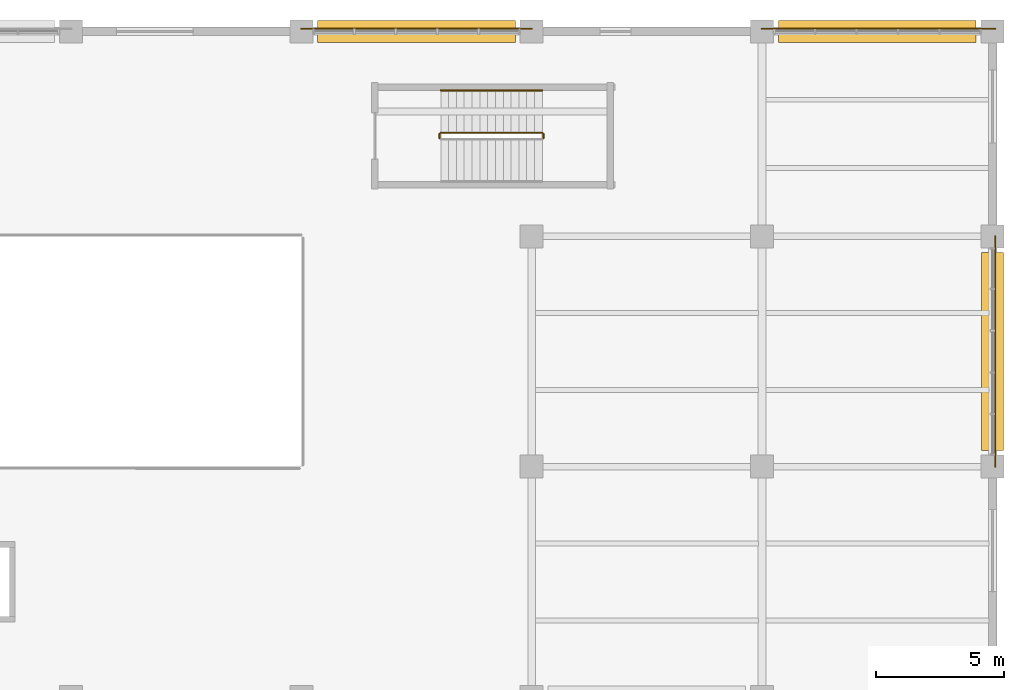
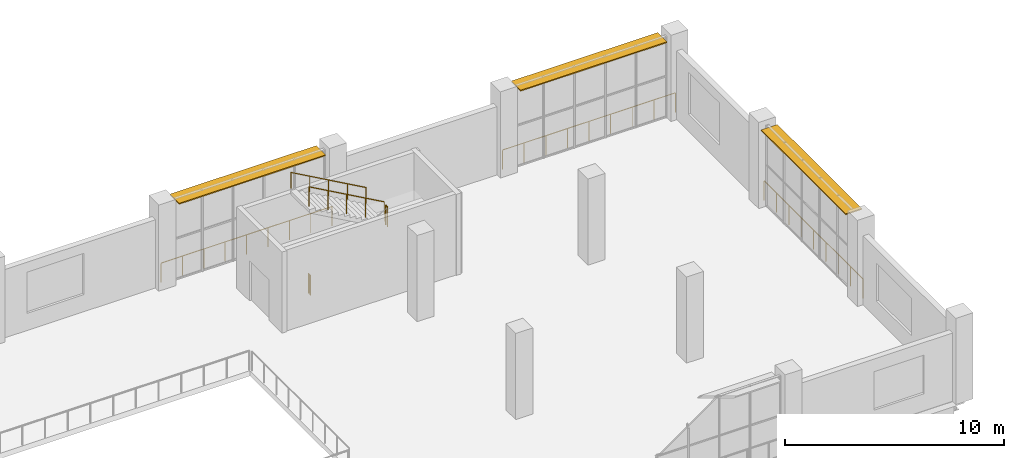
# One storey, part 182 of 183: 7 railings, 3 shading devices.
"""IFC4 building model written with IfcOpenShell, lengths in metres."""

from ifc_helpers import new_model, si_unit, direction, frame, origin, origin_2d, place, context, subcontext, project, spatial, rectangle, circle, extrude, material, layer, layer_set, type_object, element, save


model = new_model("IFC4")

# Units and contexts
model_context = context("Model", 3, precision=1e-05, world=origin(), true_north=direction((0.0, 1.0)))
body_context = subcontext(model_context, "Body", "Model", "MODEL_VIEW")
ifc_project = project(units=[si_unit("LENGTHUNIT", "METRE"), si_unit("AREAUNIT", "SQUARE_METRE"), si_unit("VOLUMEUNIT", "CUBIC_METRE"), si_unit("PLANEANGLEUNIT", "RADIAN"), si_unit("MASSUNIT", "GRAM", prefix="KILO")], contexts=[model_context])

# Site, building, storey
site_placement = place(None, origin())
site = spatial("IfcSite", under=ifc_project, at=site_placement, CompositionType="ELEMENT")
building_placement = place(site_placement, origin())
building = spatial("IfcBuilding", under=site, at=building_placement, Name="Zevraka Park Crest Stadium", CompositionType="ELEMENT")
storey_placement = place(building_placement, frame((0.0, 0.0, 5.39990234375)))
storey = spatial("IfcBuildingStorey", under=building, at=storey_placement, Name="L01", CompositionType="ELEMENT", Elevation=5.39990234375)

# Railings
ifc_material_1 = material(Name="Galvanised and bronze-finished steel balustrade", Category="steel")
railing_type_1 = type_object("IfcRailingType", Name="GR01", PredefinedType="GUARDRAIL", material=ifc_material_1)
railing_1_placement = place(storey_placement, frame((196.990966796875, 184.10498046875, 0.0)))
element("IfcRailing", 1, at=railing_1_placement, inside=storey, type_object=railing_type_1, Name="Deck Edge Protection Guardrail GR01 L01-13", PredefinedType="GUARDRAIL", context=body_context, shape_type="SweptSolid", body=[
    extrude(circle(Radius=0.02392578125, at=origin_2d()), frame((0.0, 0.0, 1.076171875), z_axis=(1.0, 0.0, 0.0), x_axis=(0.0, 1.0, 0.0)), (0.0, 0.0, 1.0), 9.01806640625),
    extrude(circle(Radius=0.02099609375, at=origin_2d()), origin(), (0.0, 0.0, 1.0), 1.052001953125),
    extrude(circle(Radius=0.02099609375, at=origin_2d()), frame((1.127197265625, 0.0, 0.0)), (0.0, 0.0, 1.0), 1.052001953125),
    extrude(circle(Radius=0.02099609375, at=origin_2d()), frame((2.25439453125, 0.0, 0.0)), (0.0, 0.0, 1.0), 1.052001953125),
    extrude(circle(Radius=0.02099609375, at=origin_2d()), frame((3.3818359375, 0.0, 0.0)), (0.0, 0.0, 1.0), 1.052001953125),
    extrude(circle(Radius=0.02099609375, at=origin_2d()), frame((4.509033203125, 0.0, 0.0)), (0.0, 0.0, 1.0), 1.052001953125),
    extrude(circle(Radius=0.02099609375, at=origin_2d()), frame((5.63623046875, 0.0, 0.0)), (0.0, 0.0, 1.0), 1.052001953125),
    extrude(circle(Radius=0.02099609375, at=origin_2d()), frame((6.763671875, 0.0, 0.0)), (0.0, 0.0, 1.0), 1.052001953125),
    extrude(circle(Radius=0.02099609375, at=origin_2d()), frame((7.890869140625, 0.0, 0.0)), (0.0, 0.0, 1.0), 1.052001953125),
    extrude(circle(Radius=0.02099609375, at=origin_2d()), frame((9.01806640625, 0.0, 0.0)), (0.0, 0.0, 1.0), 1.052001953125),
])
railing_2_placement = place(storey_placement, frame((214.990966796875, 184.10498046875, 0.0)))
element("IfcRailing", 2, at=railing_2_placement, inside=storey, type_object=railing_type_1, Name="Deck Edge Protection Guardrail GR01 L01-14", PredefinedType="GUARDRAIL", context=body_context, shape_type="SweptSolid", body=[
    extrude(circle(Radius=0.02392578125, at=origin_2d()), frame((0.0, 0.0, 1.076171875), z_axis=(1.0, 0.0, 0.0), x_axis=(0.0, 1.0, 0.0)), (0.0, 0.0, 1.0), 9.114013671875),
    extrude(circle(Radius=0.02099609375, at=origin_2d()), origin(), (0.0, 0.0, 1.0), 1.052001953125),
    extrude(circle(Radius=0.02099609375, at=origin_2d()), frame((1.13916015625, 0.0, 0.0)), (0.0, 0.0, 1.0), 1.052001953125),
    extrude(circle(Radius=0.02099609375, at=origin_2d()), frame((2.278564453125, 0.0, 0.0)), (0.0, 0.0, 1.0), 1.052001953125),
    extrude(circle(Radius=0.02099609375, at=origin_2d()), frame((3.417724609375, 0.0, 0.0)), (0.0, 0.0, 1.0), 1.052001953125),
    extrude(circle(Radius=0.02099609375, at=origin_2d()), frame((4.55712890625, 0.0, 0.0)), (0.0, 0.0, 1.0), 1.052001953125),
    extrude(circle(Radius=0.02099609375, at=origin_2d()), frame((5.6962890625, 0.0, 0.0)), (0.0, 0.0, 1.0), 1.052001953125),
    extrude(circle(Radius=0.02099609375, at=origin_2d()), frame((6.83544921875, 0.0, 0.0)), (0.0, 0.0, 1.0), 1.052001953125),
    extrude(circle(Radius=0.02099609375, at=origin_2d()), frame((7.974853515625, 0.0, 0.0)), (0.0, 0.0, 1.0), 1.052001953125),
    extrude(circle(Radius=0.02099609375, at=origin_2d()), frame((9.114013671875, 0.0, 0.0)), (0.0, 0.0, 1.0), 1.052001953125),
])
railing_3_placement = place(storey_placement, frame((224.10498046875, 176.009033203125, 0.0)))
element("IfcRailing", 3, at=railing_3_placement, inside=storey, type_object=railing_type_1, Name="Deck Edge Protection Guardrail GR01 L01-15", PredefinedType="GUARDRAIL", context=body_context, shape_type="SweptSolid", body=[
    extrude(circle(Radius=0.02392578125, at=origin_2d()), frame((0.0, 0.0, 1.076171875), z_axis=(0.0, -1.0, 0.0), x_axis=(1.0, 0.0, 0.0)), (0.0, 0.0, 1.0), 9.01806640625),
    extrude(circle(Radius=0.02099609375, at=origin_2d()), origin(), (0.0, 0.0, 1.0), 1.052001953125),
    extrude(circle(Radius=0.02099609375, at=origin_2d()), frame((0.0, -1.127197265625, 0.0)), (0.0, 0.0, 1.0), 1.052001953125),
    extrude(circle(Radius=0.02099609375, at=origin_2d()), frame((0.0, -2.25439453125, 0.0)), (0.0, 0.0, 1.0), 1.052001953125),
    extrude(circle(Radius=0.02099609375, at=origin_2d()), frame((0.0, -3.3818359375, 0.0)), (0.0, 0.0, 1.0), 1.052001953125),
    extrude(circle(Radius=0.02099609375, at=origin_2d()), frame((0.0, -4.509033203125, 0.0)), (0.0, 0.0, 1.0), 1.052001953125),
    extrude(circle(Radius=0.02099609375, at=origin_2d()), frame((0.0, -5.63623046875, 0.0)), (0.0, 0.0, 1.0), 1.052001953125),
    extrude(circle(Radius=0.02099609375, at=origin_2d()), frame((0.0, -6.763671875, 0.0)), (0.0, 0.0, 1.0), 1.052001953125),
    extrude(circle(Radius=0.02099609375, at=origin_2d()), frame((0.0, -7.890869140625, 0.0)), (0.0, 0.0, 1.0), 1.052001953125),
    extrude(circle(Radius=0.02099609375, at=origin_2d()), frame((0.0, -9.01806640625, 0.0)), (0.0, 0.0, 1.0), 1.052001953125),
])
ifc_material_2 = material(Name="Powder-coated tubular steel stairwell guard", Category="steel")
railing_type_2 = type_object("IfcRailingType", Name="GR03", PredefinedType="GUARDRAIL", material=ifc_material_2)
railing_4_placement = place(storey_placement, frame((206.465087890625, 179.840087890625, 2.400146484375)))
element("IfcRailing", 4, at=railing_4_placement, inside=storey, type_object=railing_type_2, Name="L01 ST45 stair guard 2", PredefinedType="GUARDRAIL", context=body_context, shape_type="SweptSolid", body=[
    extrude(circle(Radius=0.02392578125, at=origin_2d()), frame((0.0, 0.0, 1.076171875), z_axis=(0.0, 1.0, 0.0), x_axis=(-1.0, 0.0, 0.0)), (0.0, 0.0, 1.0), 0.159912109375),
    extrude(circle(Radius=0.02099609375, at=origin_2d()), origin(), (0.0, 0.0, 1.0), 1.052001953125),
    extrude(circle(Radius=0.02099609375, at=origin_2d()), frame((0.0, 0.159912109375, 0.0)), (0.0, 0.0, 1.0), 1.052001953125),
])
railing_5_placement = place(storey_placement, frame((206.4150390625, 180.050048828125, 2.571533203125)))
element("IfcRailing", 5, at=railing_5_placement, inside=storey, type_object=railing_type_2, Name="L01 ST45 stair guard 3", PredefinedType="GUARDRAIL", context=body_context, shape_type="SweptSolid", body=[
    extrude(circle(Radius=0.02392578125, at=origin_2d()), frame((0.0, 0.0, 1.076171875), z_axis=(-0.871748933509, 0.0, 0.489952851738), x_axis=(0.0, -1.0, 0.0)), (0.0, 0.0, 1.0), 4.54833984375),
    extrude(circle(Radius=0.02099609375, at=origin_2d()), origin(), (0.0, 0.0, 1.0), 1.052001953125),
    extrude(circle(Radius=0.02099609375, at=origin_2d()), frame((-0.9912109375, 0.0, 0.55712890625)), (0.0, 0.0, 1.0), 1.052001953125),
    extrude(circle(Radius=0.02099609375, at=origin_2d()), frame((-1.982421875, 0.0, 1.1142578125)), (0.0, 0.0, 1.0), 1.052001953125),
    extrude(circle(Radius=0.02099609375, at=origin_2d()), frame((-2.973876953125, 0.0, 1.67138671875)), (0.0, 0.0, 1.0), 1.052001953125),
    extrude(circle(Radius=0.02099609375, at=origin_2d()), frame((-3.965087890625, 0.0, 2.228515625)), (0.0, 0.0, 1.0), 1.052001953125),
])
railing_6_placement = place(storey_placement, frame((202.39990234375, 179.840087890625, 0.0)))
element("IfcRailing", 6, at=railing_6_placement, inside=storey, type_object=railing_type_2, Name="L01 ST45 stair guard 4", PredefinedType="GUARDRAIL", context=body_context, shape_type="SweptSolid", body=[
    extrude(circle(Radius=0.02392578125, at=origin_2d()), frame((0.0, 0.0, 1.076171875), z_axis=(0.0, 1.0, 0.0), x_axis=(-1.0, 0.0, 0.0)), (0.0, 0.0, 1.0), 0.159912109375),
    extrude(circle(Radius=0.02099609375, at=origin_2d()), origin(), (0.0, 0.0, 1.0), 1.052001953125),
    extrude(circle(Radius=0.02099609375, at=origin_2d()), frame((0.0, 0.159912109375, 0.0)), (0.0, 0.0, 1.0), 1.052001953125),
])
ifc_material_3 = material(Name="Brushed stainless steel continuous handrail", Category="steel")
railing_type_3 = type_object("IfcRailingType", Name="HR01", PredefinedType="HANDRAIL", material=ifc_material_3)
railing_7_placement = place(storey_placement, frame((206.4150390625, 181.699951171875, 2.571533203125)))
element("IfcRailing", 7, at=railing_7_placement, inside=storey, type_object=railing_type_3, Name="L01 ST45 stair handrail 2", PredefinedType="HANDRAIL", context=body_context, shape_type="SweptSolid", body=[
    extrude(circle(Radius=0.02392578125, at=origin_2d()), frame((0.0, 0.0, 0.8759765625), z_axis=(-0.871748933509, 0.0, 0.489952851738), x_axis=(0.0, -1.0, 0.0)), (0.0, 0.0, 1.0), 4.54833984375),
    extrude(circle(Radius=0.02099609375, at=origin_2d()), origin(), (0.0, 0.0, 1.0), 0.851806640625),
    extrude(circle(Radius=0.02099609375, at=origin_2d()), frame((-0.9912109375, 0.0, 0.55712890625)), (0.0, 0.0, 1.0), 0.851806640625),
    extrude(circle(Radius=0.02099609375, at=origin_2d()), frame((-1.982421875, 0.0, 1.1142578125)), (0.0, 0.0, 1.0), 0.851806640625),
    extrude(circle(Radius=0.02099609375, at=origin_2d()), frame((-2.973876953125, 0.0, 1.67138671875)), (0.0, 0.0, 1.0), 0.851806640625),
    extrude(circle(Radius=0.02099609375, at=origin_2d()), frame((-3.965087890625, 0.0, 2.228515625)), (0.0, 0.0, 1.0), 0.851806640625),
])

# Shading devices
ifc_material_4 = material(Name="Architectural golden-bronze anodised bronze", Category="aluminium")
ifc_layer = layer(ifc_material_4, 0.06005859375)
ifc_layer_set = layer_set([ifc_layer], Name="Architectural golden-bronze anodised bronze")
shading_device_type = type_object("IfcShadingDeviceType", Name="SHD01", PredefinedType="USERDEFINED", material=ifc_layer_set)
for number, where, z_axis, x_axis, name in (
    (8, (201.5, 184.0, 4.440185546875), (0.0, 0.0, 1.0), (1.0, 0.0, 0.0), "Wing Bronze Solar Screen SHD01 L01-NGATE-N-6"),
    (9, (219.5, 184.0, 4.440185546875), (0.0, 0.0, 1.0), (1.0, 0.0, 0.0), "Wing Bronze Solar Screen SHD01 L01-NGATE-N-8"),
    (10, (224.0, 171.5, 4.440185546875), (0.0, 0.0, 1.0), (0.0, -1.0, 0.0), "Wing Bronze Solar Screen SHD01 L01-NGATE-E-2"),
):
    element("IfcShadingDevice", number, at=place(storey_placement, frame(where, z_axis=z_axis, x_axis=x_axis)), inside=storey, type_object=shading_device_type, Name=name, ObjectType="SOLAR SCREEN", PredefinedType="USERDEFINED", context=body_context, shape_type="SweptSolid", body=[
        extrude(rectangle(XDim=7.719970703125, YDim=0.85009765625, at=origin_2d()), origin(), (0.0, 0.0, 1.0), 0.06005859375),
    ])

save(model, "model.ifc")
